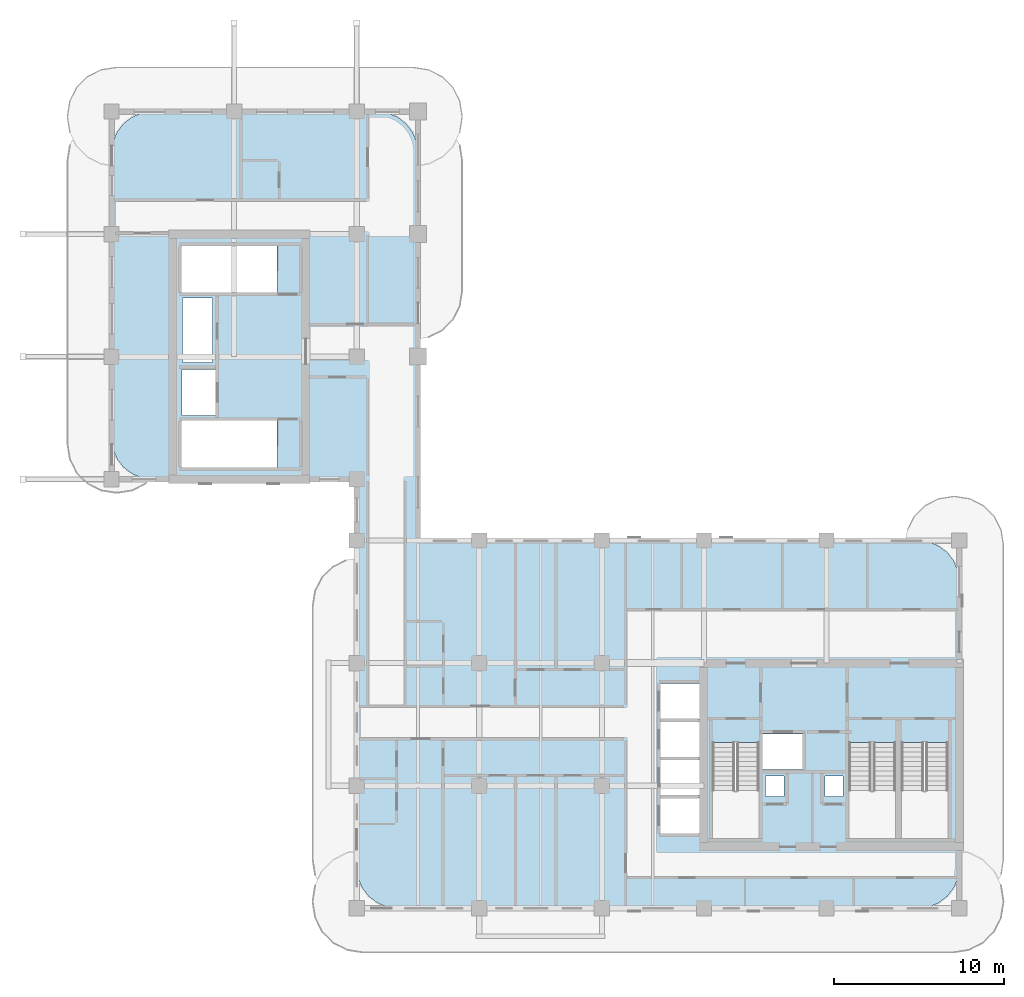
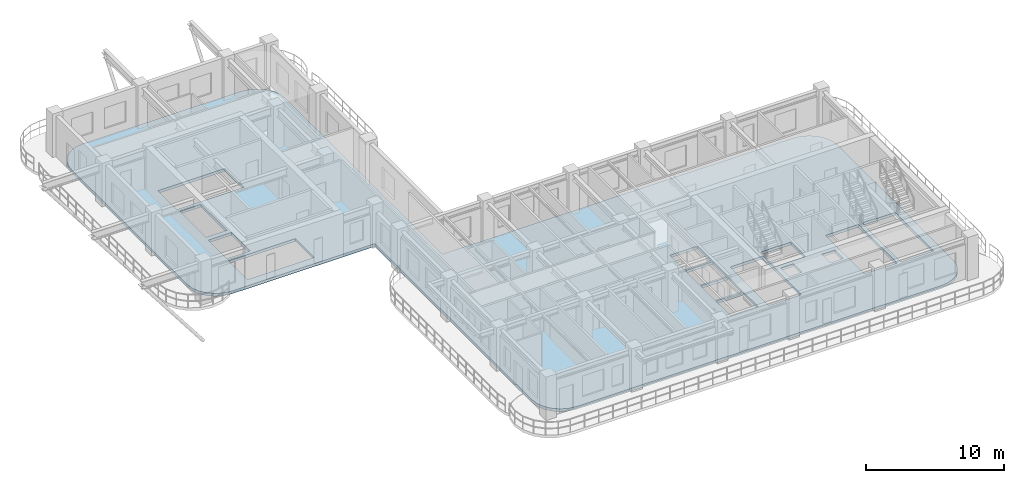
# One storey, part 3 of 14: 1 slab.
"""IFC4 building model written with IfcOpenShell, lengths in metres."""

from ifc_helpers import new_model, si_unit, derived_unit, direction, frame, origin, place, context, subcontext, project, spatial, polyline, outline, extrude, material, layer, layer_set, type_object, element, save


model = new_model("IFC4")

# Units and contexts
model_context = context("Model", 3, precision=1e-05, world=origin(), true_north=direction((0.0, 1.0)))
body_context = subcontext(model_context, "Body", "Model", "MODEL_VIEW")
ifc_project = project(units=[si_unit("LENGTHUNIT", "METRE"), si_unit("AREAUNIT", "SQUARE_METRE"), si_unit("VOLUMEUNIT", "CUBIC_METRE"), si_unit("PLANEANGLEUNIT", "RADIAN"), si_unit("MASSUNIT", "GRAM", prefix="KILO"), si_unit("THERMODYNAMICTEMPERATUREUNIT", "KELVIN"), si_unit("POWERUNIT", "WATT"), derived_unit("THERMALTRANSMITTANCEUNIT", [(si_unit("POWERUNIT", "WATT"), 1), (si_unit("AREAUNIT", "SQUARE_METRE"), -1), (si_unit("THERMODYNAMICTEMPERATUREUNIT", "KELVIN"), -1)])], contexts=[model_context])

# Site, building, storey
site_placement = place(None, origin())
site = spatial("IfcSite", under=ifc_project, at=site_placement, CompositionType="ELEMENT")
building_placement = place(site_placement, origin())
building = spatial("IfcBuilding", under=site, at=building_placement, Name="Zahravan Archway Hotel and Residences", CompositionType="ELEMENT")
storey_placement = place(building_placement, frame((0.0, 0.0, 209.60009765625)))
storey = spatial("IfcBuildingStorey", under=building, at=storey_placement, Name="L52", CompositionType="ELEMENT", Elevation=209.60009765625)

# Slab
ifc_material = material(Name="Concrete C45/55", Category="concrete")
ifc_layer = layer(ifc_material, 0.25, Name="Concrete C45/55", Category="concrete")
ifc_layer_set = layer_set([ifc_layer], Name="Concrete C45/55")
slab_type = type_object("IfcSlabType", Name="SLB-FLR-250", PredefinedType="FLOOR", material=ifc_layer_set)
slab_placement = place(storey_placement, frame((0.0, 0.0, -0.25)))
element("IfcSlab", 1, at=slab_placement, inside=storey, type_object=slab_type, Name="L52 Floor Slab LB", PredefinedType="FLOOR", context=body_context, shape_type="SweptSolid", body=[
    extrude(outline(polyline([(18.0, 21.60009765625), (18.0, 27.60009765625), (18.0, 27.699951171875), (18.0, 44.39990234375), (17.918212890625, 45.021240234375), (17.678466796875, 45.60009765625), (17.297119140625, 46.09716796875), (16.800048828125, 46.478515625), (16.22119140625, 46.71826171875), (15.60009765625, 46.800048828125), (2.39990234375, 46.800048828125), (1.77880859375, 46.71826171875), (1.199951171875, 46.478515625), (0.702880859375, 46.09716796875), (0.321533203125, 45.60009765625), (0.081787109375, 45.021240234375), (0.0, 44.39990234375), (0.0, 27.60009765625), (0.081787109375, 26.978759765625), (0.321533203125, 26.39990234375), (0.702880859375, 25.90283203125), (1.199951171875, 25.521484375), (1.77880859375, 25.28173828125), (2.39990234375, 25.199951171875), (14.39990234375, 25.199951171875), (14.39990234375, 19.199951171875), (14.39990234375, 19.10009765625), (14.39990234375, 2.39990234375), (14.481689453125, 1.77880859375), (14.721435546875, 1.199951171875), (15.102783203125, 0.702880859375), (15.60009765625, 0.321533203125), (16.1787109375, 0.081787109375), (16.800048828125, 0.0), (47.39990234375, 0.0), (48.021240234375, 0.081787109375), (48.60009765625, 0.321533203125), (49.09716796875, 0.702880859375), (49.478515625, 1.199951171875), (49.71826171875, 1.77880859375), (49.800048828125, 2.39990234375), (49.800048828125, 19.199951171875), (49.71826171875, 19.8212890625), (49.478515625, 20.39990234375), (49.09716796875, 20.897216796875), (48.60009765625, 21.278564453125), (48.021240234375, 21.518310546875), (47.39990234375, 21.60009765625), (18.0, 21.60009765625)]), holes=[polyline([(35.300048828125, 9.72998046875), (35.300048828125, 4.10009765625), (38.0400390625, 4.10009765625), (38.0400390625, 9.72998046875), (35.300048828125, 9.72998046875)]), polyline([(43.320068359375, 9.72998046875), (43.320068359375, 4.10009765625), (46.06005859375, 4.10009765625), (46.06005859375, 9.72998046875), (43.320068359375, 9.72998046875)]), polyline([(46.39990234375, 9.72998046875), (46.39990234375, 4.10009765625), (49.139892578125, 4.10009765625), (49.139892578125, 9.72998046875), (46.39990234375, 9.72998046875)]), polyline([(9.72998046875, 28.639892578125), (4.10009765625, 28.639892578125), (4.10009765625, 25.89990234375), (9.72998046875, 25.89990234375), (9.72998046875, 28.639892578125)]), polyline([(9.72998046875, 38.89990234375), (4.10009765625, 38.89990234375), (4.10009765625, 36.159912109375), (9.72998046875, 36.159912109375), (9.72998046875, 38.89990234375)]), polyline([(38.179931640625, 8.14990234375), (40.699951171875, 8.14990234375), (40.699951171875, 10.25), (38.179931640625, 10.25), (38.179931640625, 8.14990234375)]), polyline([(4.14990234375, 28.949951171875), (6.10009765625, 28.949951171875), (6.10009765625, 31.64990234375), (4.14990234375, 31.64990234375), (4.14990234375, 28.949951171875)]), polyline([(32.25, 4.39990234375), (34.550048828125, 4.39990234375), (34.550048828125, 6.47998046875), (32.25, 6.47998046875), (32.25, 4.39990234375)]), polyline([(32.25, 6.639892578125), (34.550048828125, 6.639892578125), (34.550048828125, 8.719970703125), (32.25, 8.719970703125), (32.25, 6.639892578125)]), polyline([(32.25, 8.8798828125), (34.550048828125, 8.8798828125), (34.550048828125, 10.9599609375), (32.25, 10.9599609375), (32.25, 8.8798828125)]), polyline([(32.25, 11.1201171875), (34.550048828125, 11.1201171875), (34.550048828125, 13.199951171875), (32.25, 13.199951171875), (32.25, 11.1201171875)]), polyline([(38.419921875, 6.56005859375), (39.5, 6.56005859375), (39.5, 7.780029296875), (38.419921875, 7.780029296875), (38.419921875, 6.56005859375)]), polyline([(41.89990234375, 6.56005859375), (42.9599609375, 6.56005859375), (42.9599609375, 7.780029296875), (41.89990234375, 7.780029296875), (41.89990234375, 6.56005859375)]), polyline([(4.179931640625, 32.050048828125), (5.93994140625, 32.050048828125), (5.93994140625, 35.840087890625), (4.179931640625, 35.840087890625), (4.179931640625, 32.050048828125)])]), origin(), (0.0, 0.0, 1.0), 0.25),
])

save(model, "model.ifc")
